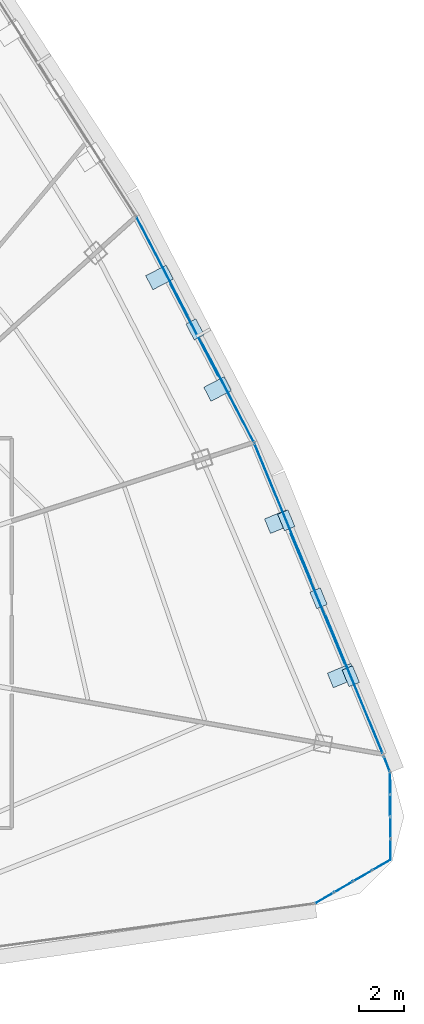
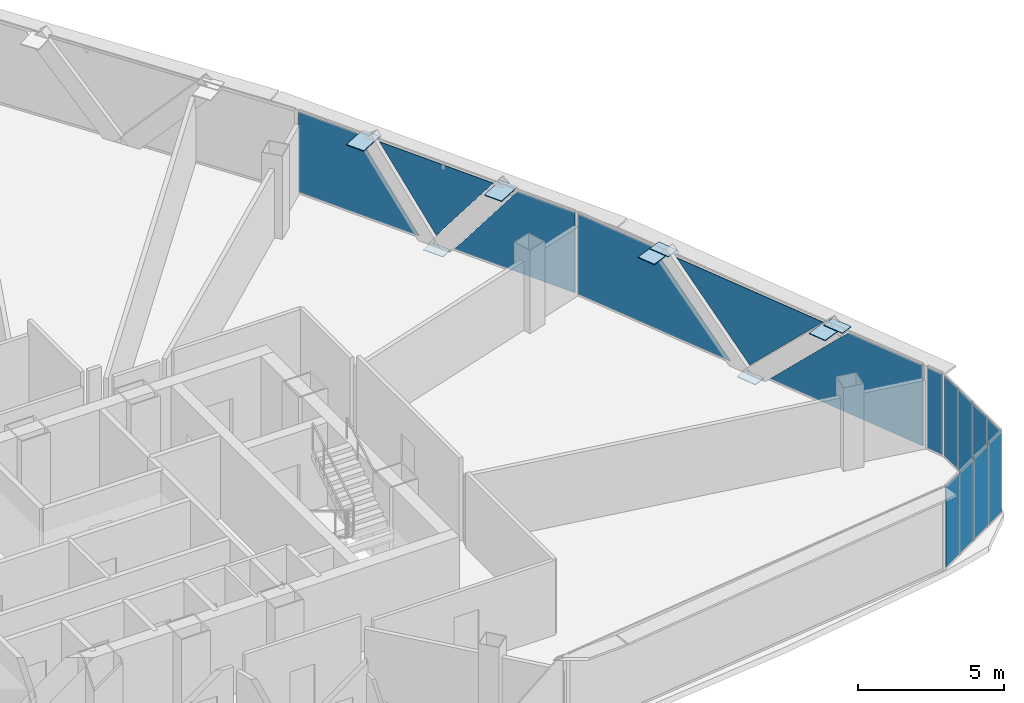
# One storey, part 32 of 39: 23 plates, 5 elements without a shape of their own.
"""IFC4 building model written with IfcOpenShell, lengths in metres."""

from ifc_helpers import new_model, si_unit, direction, frame, origin, origin_2d, place, context, subcontext, project, spatial, polyline, rectangle, outline, extrude, source, transform, mapped, material, layer, layer_set, type_object, element, aggregate, save


model = new_model("IFC4")

# Units and contexts
model_context = context("Model", 3, precision=1e-05, world=origin(), true_north=direction((0.0, 1.0)))
body_context = subcontext(model_context, "Body", "Model", "MODEL_VIEW")
ifc_project = project(units=[si_unit("LENGTHUNIT", "METRE"), si_unit("AREAUNIT", "SQUARE_METRE"), si_unit("VOLUMEUNIT", "CUBIC_METRE"), si_unit("PLANEANGLEUNIT", "RADIAN"), si_unit("MASSUNIT", "GRAM", prefix="KILO"), si_unit("THERMODYNAMICTEMPERATUREUNIT", "KELVIN"), si_unit("POWERUNIT", "WATT")], contexts=[model_context])

# Site, building, storey
site_placement = place(None, origin())
site = spatial("IfcSite", under=ifc_project, at=site_placement, CompositionType="ELEMENT")
building_placement = place(site_placement, origin())
building = spatial("IfcBuilding", under=site, at=building_placement, Name="Yunzhuo Pagoda Commons", CompositionType="ELEMENT")
storey_placement = place(building_placement, frame((0.0, 0.0, 296.2099609375)))
storey = spatial("IfcBuildingStorey", under=building, at=storey_placement, Name="L74", CompositionType="ELEMENT", Elevation=296.2099609375)

# Curtain wall, plates
ifc_material_1 = material(Name="Anodized aluminium 6063-T6", Category="aluminium")
ifc_layer_1 = layer(ifc_material_1, 0.139892578125)
ifc_layer_set_1 = layer_set([ifc_layer_1], Name="Anodized aluminium 6063-T6")
curtain_wall_type_1 = type_object("IfcCurtainWallType", Name="CW-HI High-Zone Ribbon Curtain Wall", PredefinedType="NOTDEFINED", material=ifc_layer_set_1)
curtain_wall_1_placement = place(storey_placement, origin())
curtain_wall_1 = element("IfcCurtainWall", 1, at=curtain_wall_1_placement, inside=storey, type_object=curtain_wall_type_1, Name="L74 curtain wall CW-L74-F2B2", PredefinedType="NOTDEFINED")
ifc_material_2 = material(Name="Tempered low-e double glazing", Category="glass")
ifc_layer_2 = layer(ifc_material_2, 0.02587890625)
ifc_layer_set_2 = layer_set([ifc_layer_2], Name="Tempered low-e double glazing")
plate_type_1 = type_object("IfcPlateType", Name="CW-HI-P Low-E Double Glazing 26", PredefinedType="CURTAIN_PANEL", material=ifc_layer_set_2)
plate_1_placement = place(storey_placement, frame((78.037841796875, 31.263427734375, 1.735107421875), z_axis=(0.923899046183, 0.382636318796, 0.0), x_axis=(-0.382636318796, 0.923899046183, 0.0)))
plate_1 = element("IfcPlate", 2, at=plate_1_placement, type_object=plate_type_1, Name="CW panel 1.1 lite 1", PredefinedType="CURTAIN_PANEL", context=body_context, shape_type="SweptSolid", body=[
    extrude(outline(polyline([(-3.2880859375, -1.679931640625), (3.2880859375, -1.679931640625), (-0.085693359375, 1.679931640625), (-3.2880859375, 1.679931640625), (-3.2880859375, -1.679931640625)])), origin(), (0.0, 0.0, 1.0), 0.028076171875),
])
plate_2_placement = place(storey_placement, frame((76.4248046875, 35.079833984375, 1.845703125), z_axis=(0.923899046183, 0.382636318796, 0.0), x_axis=(-0.382636318796, 0.923899046183, 0.0)))
plate_2 = element("IfcPlate", 3, at=plate_2_placement, type_object=plate_type_1, Name="CW panel 1.1 lite 2", PredefinedType="CURTAIN_PANEL", context=body_context, shape_type="SweptSolid", body=[
    extrude(outline(polyline([(-3.15185546875, 1.5693359375), (0.0, -1.5693359375), (3.15185546875, 1.5693359375), (-3.15185546875, 1.5693359375)])), origin(), (0.0, 0.0, 1.0), 0.028076171875),
])
plate_3_placement = place(storey_placement, frame((74.8671875, 38.9189453125, 1.735107421875), z_axis=(0.923899046183, 0.382636318796, 0.0), x_axis=(-0.382636318796, 0.923899046183, 0.0)))
plate_3 = element("IfcPlate", 4, at=plate_3_placement, type_object=plate_type_1, Name="CW panel 1.1 lite 3", PredefinedType="CURTAIN_PANEL", context=body_context, shape_type="SweptSolid", body=[
    extrude(outline(polyline([(-3.2880859375, -1.679931640625), (3.2880859375, -1.679931640625), (3.2880859375, 1.679931640625), (0.0859375, 1.679931640625), (-3.2880859375, -1.679931640625)])), origin(), (0.0, 0.0, 1.0), 0.028076171875),
])
aggregate(curtain_wall_1, [plate_1, plate_2, plate_3])

curtain_wall_2_placement = place(storey_placement, origin())
curtain_wall_2 = element("IfcCurtainWall", 5, at=curtain_wall_2_placement, inside=storey, type_object=curtain_wall_type_1, Name="L74 curtain wall CW-L74-F2B3", PredefinedType="NOTDEFINED")
plate_4_placement = place(storey_placement, frame((72.431640625, 44.226806640625, 1.735107421875), z_axis=(0.886761092291, 0.462228044582, 0.0), x_axis=(-0.462228044582, 0.886761092291, 0.0)))
plate_4 = element("IfcPlate", 6, at=plate_4_placement, type_object=plate_type_1, Name="CW panel 1.1 lite 1", PredefinedType="CURTAIN_PANEL", context=body_context, shape_type="SweptSolid", body=[
    extrude(outline(polyline([(-2.43896484375, -1.679931640625), (2.43896484375, -1.679931640625), (-0.107421875, 1.679931640625), (-2.43896484375, 1.679931640625), (-2.43896484375, -1.679931640625)])), origin(), (0.0, 0.0, 1.0), 0.028076171875),
])
plate_5_placement = place(storey_placement, frame((70.94677734375, 47.01025390625, 1.89208984375), z_axis=(0.886761092291, 0.462228044582, 0.0), x_axis=(-0.462228044582, 0.886761092291, 0.0)))
plate_5 = element("IfcPlate", 7, at=plate_5_placement, type_object=plate_type_1, Name="CW panel 1.1 lite 2", PredefinedType="CURTAIN_PANEL", context=body_context, shape_type="SweptSolid", body=[
    extrude(outline(polyline([(-2.30810546875, 1.52294921875), (0.0, -1.52294921875), (2.30810546875, 1.52294921875), (-2.30810546875, 1.52294921875)])), origin(), (0.0, 0.0, 1.0), 0.028076171875),
])
plate_6_placement = place(storey_placement, frame((69.515380859375, 49.8212890625, 1.735107421875), z_axis=(0.886761092291, 0.462228044582, 0.0), x_axis=(-0.462228044582, 0.886761092291, 0.0)))
plate_6 = element("IfcPlate", 8, at=plate_6_placement, type_object=plate_type_1, Name="CW panel 1.1 lite 3", PredefinedType="CURTAIN_PANEL", context=body_context, shape_type="SweptSolid", body=[
    extrude(outline(polyline([(-2.43896484375, -1.679931640625), (2.43896484375, -1.679931640625), (2.43896484375, 1.679931640625), (0.107421875, 1.679931640625), (-2.43896484375, -1.679931640625)])), origin(), (0.0, 0.0, 1.0), 0.028076171875),
])
aggregate(curtain_wall_2, [plate_4, plate_5, plate_6])

# Plates
ifc_material_3 = material(Name="Structural steel Q355B", Category="steel")
ifc_layer_3 = layer(ifc_material_3, 0.028076171875)
ifc_layer_set_3 = layer_set([ifc_layer_3], Name="Structural steel Q355B")
plate_type_2 = type_object("IfcPlateType", Name="SP-ND1 Lattice Node Cap Plate 800x500x28", PredefinedType="USERDEFINED", material=ifc_layer_set_3)
shared_shape_1 = source(origin(), body_context, "Body", "SweptSolid", [
    extrude(rectangle(XDim=0.800048828125, YDim=0.5, at=origin_2d()), origin(), (0.0, 0.0, 1.0), 0.028076171875),
])
for number, where, z_axis, x_axis, name in (
    (9, (76.46533203125, 35.096435546875, -0.27392578125), (0.0, 0.0, 1.0), (-0.382635057621, 0.923899568503, 0.0), "L74 diamond node plate F2.1A"),
    (10, (70.98583984375, 47.03076171875, -0.27392578125), (0.0, 0.0, 1.0), (-0.462228464672, 0.886760873318, 0.0), "L74 diamond node plate F2.2A"),
):
    element("IfcPlate", number, at=place(storey_placement, frame(where, z_axis=z_axis, x_axis=x_axis)), inside=storey, type_object=plate_type_2, Name=name, ObjectType="STIFFENER_PLATE", PredefinedType="USERDEFINED", context=body_context, shape_type="MappedRepresentation", body=[
        mapped(shared_shape_1, transform((0.0, 0.0, 0.0), scale=1.0)),
    ])
ifc_layer_4 = layer(ifc_material_3, 0.028076171875)
ifc_layer_set_4 = layer_set([ifc_layer_4], Name="Structural steel Q355B")
plate_type_3 = type_object("IfcPlateType", Name="EP-DL1 Diamond Brace End Plate 800x500x28", PredefinedType="USERDEFINED", material=ifc_layer_set_4)
for number, where, z_axis, x_axis, name in (
    (11, (77.898681640625, 31.635986328125, 3.4677734375), (0.0, 0.0, 1.0), (-0.382635057621, 0.923899568503, 0.0), "L74 diamond brace end plate F2.1L"),
    (12, (75.0322265625, 38.55712890625, 3.4677734375), (0.0, 0.0, 1.0), (-0.382635057621, 0.923899568503, 0.0), "L74 diamond brace end plate F2.1R"),
):
    element("IfcPlate", number, at=place(storey_placement, frame(where, z_axis=z_axis, x_axis=x_axis)), inside=storey, type_object=plate_type_3, Name=name, ObjectType="END_PLATE", PredefinedType="USERDEFINED", context=body_context, shape_type="MappedRepresentation", body=[
        mapped(shared_shape_1, transform((0.0, 0.0, 0.0), scale=1.0)),
    ])
shared_shape_2 = source(origin(), body_context, "Body", "SweptSolid", [
    extrude(rectangle(XDim=0.699951171875, YDim=1.022216796875, at=origin_2d()), origin(), (0.0, 0.0, 1.0), 0.035888671875),
])
plate_7_placement = place(storey_placement, frame((71.9853515625, 44.3876953125, 3.43212890625), z_axis=(0.0, 0.0, 1.0), x_axis=(-0.462228464672, 0.886760873318, 0.0)))
element("IfcPlate", 13, at=plate_7_placement, inside=storey, type_object=plate_type_2, Name="L74 setback lattice tie plate F2.2L", ObjectType="STIFFENER_PLATE", PredefinedType="USERDEFINED", context=body_context, shape_type="MappedRepresentation", body=[
    mapped(shared_shape_2, transform((0.0, 0.0, 0.0), scale=1.0)),
])
shared_shape_3 = source(origin(), body_context, "Body", "SweptSolid", [
    extrude(rectangle(XDim=0.699951171875, YDim=1.127685546875, at=origin_2d()), origin(), (0.0, 0.0, 1.0), 0.035888671875),
])
plate_8_placement = place(storey_placement, frame((77.5107421875, 31.663818359375, 3.43212890625), z_axis=(0.0, 0.0, 1.0), x_axis=(-0.382635057621, 0.923899568503, 0.0)))
element("IfcPlate", 14, at=plate_8_placement, inside=storey, type_object=plate_type_2, Name="L74 setback lattice tie plate F2.1L", ObjectType="STIFFENER_PLATE", PredefinedType="USERDEFINED", context=body_context, shape_type="MappedRepresentation", body=[
    mapped(shared_shape_3, transform((0.0, 0.0, 0.0), scale=1.0)),
])
shared_shape_4 = source(origin(), body_context, "Body", "SweptSolid", [
    extrude(rectangle(XDim=0.699951171875, YDim=1.052001953125, at=origin_2d()), origin(), (0.0, 0.0, 1.0), 0.035888671875),
])
plate_9_placement = place(storey_placement, frame((74.6865234375, 38.49609375, 3.43212890625), z_axis=(0.0, 0.0, 1.0), x_axis=(-0.382635057621, 0.923899568503, 0.0)))
element("IfcPlate", 15, at=plate_9_placement, inside=storey, type_object=plate_type_2, Name="L74 setback lattice tie plate F2.1R", ObjectType="STIFFENER_PLATE", PredefinedType="USERDEFINED", context=body_context, shape_type="MappedRepresentation", body=[
    mapped(shared_shape_4, transform((0.0, 0.0, 0.0), scale=1.0)),
])
shared_shape_5 = source(origin(), body_context, "Body", "SweptSolid", [
    extrude(rectangle(XDim=0.699951171875, YDim=1.023681640625, at=origin_2d()), origin(), (0.0, 0.0, 1.0), 0.035888671875),
])
plate_10_placement = place(storey_placement, frame((69.406982421875, 49.3388671875, 3.43212890625), z_axis=(0.0, 0.0, 1.0), x_axis=(-0.462228464672, 0.886760873318, 0.0)))
element("IfcPlate", 16, at=plate_10_placement, inside=storey, type_object=plate_type_2, Name="L74 setback lattice tie plate F2.2R", ObjectType="STIFFENER_PLATE", PredefinedType="USERDEFINED", context=body_context, shape_type="MappedRepresentation", body=[
    mapped(shared_shape_5, transform((0.0, 0.0, 0.0), scale=1.0)),
])

# Curtain wall, plate
curtain_wall_3_placement = place(storey_placement, origin())
curtain_wall_3 = element("IfcCurtainWall", 17, at=curtain_wall_3_placement, inside=storey, type_object=curtain_wall_type_1, Name="L74 curtain wall CW-L74-F2B1", PredefinedType="NOTDEFINED")
shared_shape_6 = source(origin(), body_context, "Body", "SweptSolid", [
    extrude(rectangle(XDim=0.6689453125, YDim=0.028076171875, at=origin_2d()), origin(), (0.0, 0.0, 1.0), 3.360107421875),
])
plate_11_placement = place(storey_placement, frame((79.501953125, 27.73779296875, 0.05517578125), z_axis=(0.0, 0.0, 1.0), x_axis=(-0.36265423017, 0.931923767987, 0.0)))
plate_11 = element("IfcPlate", 18, at=plate_11_placement, type_object=plate_type_1, Name="CW panel 1.1", PredefinedType="CURTAIN_PANEL", context=body_context, shape_type="MappedRepresentation", body=[
    mapped(shared_shape_6, transform((0.0, 0.0, 0.0), scale=1.0)),
])
aggregate(curtain_wall_3, [plate_11])

# Curtain wall, plates
ifc_layer_5 = layer(ifc_material_1, 0.1298828125)
ifc_layer_set_5 = layer_set([ifc_layer_5], Name="Anodized aluminium 6063-T6")
curtain_wall_type_2 = type_object("IfcCurtainWallType", Name="CW-VTX Rounded Corner Curtain Wall", PredefinedType="NOTDEFINED", material=ifc_layer_set_5)
curtain_wall_4_placement = place(storey_placement, origin())
curtain_wall_4 = element("IfcCurtainWall", 19, at=curtain_wall_4_placement, inside=storey, type_object=curtain_wall_type_2, Name="L74 curtain wall CW-L74-VTX2S1", PredefinedType="NOTDEFINED")
ifc_layer_6 = layer(ifc_material_2, 0.02587890625)
ifc_layer_set_6 = layer_set([ifc_layer_6], Name="Tempered low-e double glazing")
plate_type_4 = type_object("IfcPlateType", Name="CW-VTX-P Low-E Double Glazing 26", PredefinedType="CURTAIN_PANEL", material=ifc_layer_set_6)
shared_shape_7 = source(origin(), body_context, "Body", "SweptSolid", [
    extrude(rectangle(XDim=0.8994140625, YDim=0.028076171875, at=origin_2d()), origin(), (0.0, 0.0, 1.0), 3.360107421875),
])
plate_12_placement = place(storey_placement, frame((76.73681640625, 21.79736328125, 0.05517578125), z_axis=(0.0, 0.0, 1.0), x_axis=(0.86543732532, 0.501017201245, 0.0)))
plate_12 = element("IfcPlate", 20, at=plate_12_placement, type_object=plate_type_4, Name="CW panel 1.1", PredefinedType="CURTAIN_PANEL", context=body_context, shape_type="MappedRepresentation", body=[
    mapped(shared_shape_7, transform((0.0, 0.0, 0.0), scale=1.0)),
])
plate_13_placement = place(storey_placement, frame((79.26220703125, 23.25927734375, 0.05517578125), z_axis=(0.0, 0.0, 1.0), x_axis=(0.86543732532, 0.501017201245, 0.0)))
plate_13 = element("IfcPlate", 21, at=plate_13_placement, type_object=plate_type_4, Name="CW panel 4.1", PredefinedType="CURTAIN_PANEL", context=body_context, shape_type="MappedRepresentation", body=[
    mapped(shared_shape_7, transform((0.0, 0.0, 0.0), scale=1.0)),
])

curtain_wall_5_placement = place(storey_placement, origin())
curtain_wall_5 = element("IfcCurtainWall", 22, at=curtain_wall_5_placement, inside=storey, type_object=curtain_wall_type_2, Name="L74 curtain wall CW-L74-VTX2S2", PredefinedType="NOTDEFINED")
plate_14_placement = place(storey_placement, frame((79.657470703125, 23.947509765625, 0.05517578125), z_axis=(0.0, 0.0, 1.0), x_axis=(-0.003589955472, 0.999993556089, 0.0)))
plate_14 = element("IfcPlate", 23, at=plate_14_placement, type_object=plate_type_4, Name="CW panel 1.1", PredefinedType="CURTAIN_PANEL", context=body_context, shape_type="MappedRepresentation", body=[
    mapped(shared_shape_7, transform((0.0, 0.0, 0.0), scale=1.0)),
])
plate_15_placement = place(storey_placement, frame((79.64697265625, 26.865478515625, 0.05517578125), z_axis=(0.0, 0.0, 1.0), x_axis=(-0.003589955472, 0.999993556089, 0.0)))
plate_15 = element("IfcPlate", 24, at=plate_15_placement, type_object=plate_type_4, Name="CW panel 4.1", PredefinedType="CURTAIN_PANEL", context=body_context, shape_type="MappedRepresentation", body=[
    mapped(shared_shape_7, transform((0.0, 0.0, 0.0), scale=1.0)),
])

# Plate
shared_shape_8 = source(origin(), body_context, "Body", "SweptSolid", [
    extrude(rectangle(XDim=0.927001953125, YDim=0.028076171875, at=origin_2d()), origin(), (0.0, 0.0, 1.0), 3.360107421875),
])
plate_16_placement = place(storey_placement, frame((77.57470703125, 22.2822265625, 0.05517578125), z_axis=(0.0, 0.0, 1.0), x_axis=(0.86543732532, 0.501017201245, 0.0)))
plate_16 = element("IfcPlate", 25, at=plate_16_placement, type_object=plate_type_4, Name="CW panel 2.1", PredefinedType="CURTAIN_PANEL", context=body_context, shape_type="MappedRepresentation", body=[
    mapped(shared_shape_8, transform((0.0, 0.0, 0.0), scale=1.0)),
])

plate_17_placement = place(storey_placement, frame((78.42431640625, 22.774169921875, 0.05517578125), z_axis=(0.0, 0.0, 1.0), x_axis=(0.86543732532, 0.501017201245, 0.0)))
plate_17 = element("IfcPlate", 26, at=plate_17_placement, type_object=plate_type_4, Name="CW panel 3.1", PredefinedType="CURTAIN_PANEL", context=body_context, shape_type="MappedRepresentation", body=[
    mapped(shared_shape_8, transform((0.0, 0.0, 0.0), scale=1.0)),
])

aggregate(curtain_wall_4, [plate_12, plate_16, plate_17, plate_13])

plate_18_placement = place(storey_placement, frame((79.65380859375, 24.91552734375, 0.05517578125), z_axis=(0.0, 0.0, 1.0), x_axis=(-0.003589955472, 0.999993556089, 0.0)))
plate_18 = element("IfcPlate", 27, at=plate_18_placement, type_object=plate_type_4, Name="CW panel 2.1", PredefinedType="CURTAIN_PANEL", context=body_context, shape_type="MappedRepresentation", body=[
    mapped(shared_shape_8, transform((0.0, 0.0, 0.0), scale=1.0)),
])

plate_19_placement = place(storey_placement, frame((79.650390625, 25.8974609375, 0.05517578125), z_axis=(0.0, 0.0, 1.0), x_axis=(-0.003589955472, 0.999993556089, 0.0)))
plate_19 = element("IfcPlate", 28, at=plate_19_placement, type_object=plate_type_4, Name="CW panel 3.1", PredefinedType="CURTAIN_PANEL", context=body_context, shape_type="MappedRepresentation", body=[
    mapped(shared_shape_8, transform((0.0, 0.0, 0.0), scale=1.0)),
])

aggregate(curtain_wall_5, [plate_14, plate_18, plate_19, plate_15])

save(model, "model.ifc")
